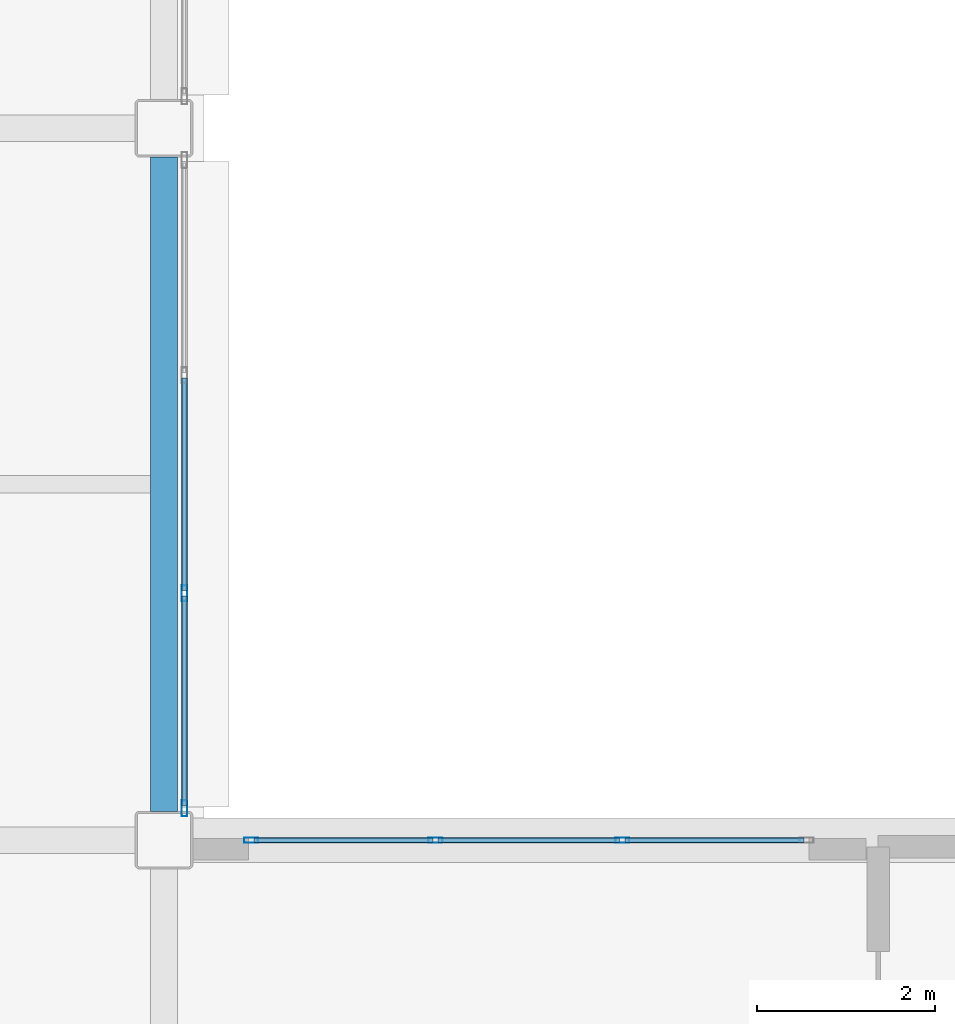
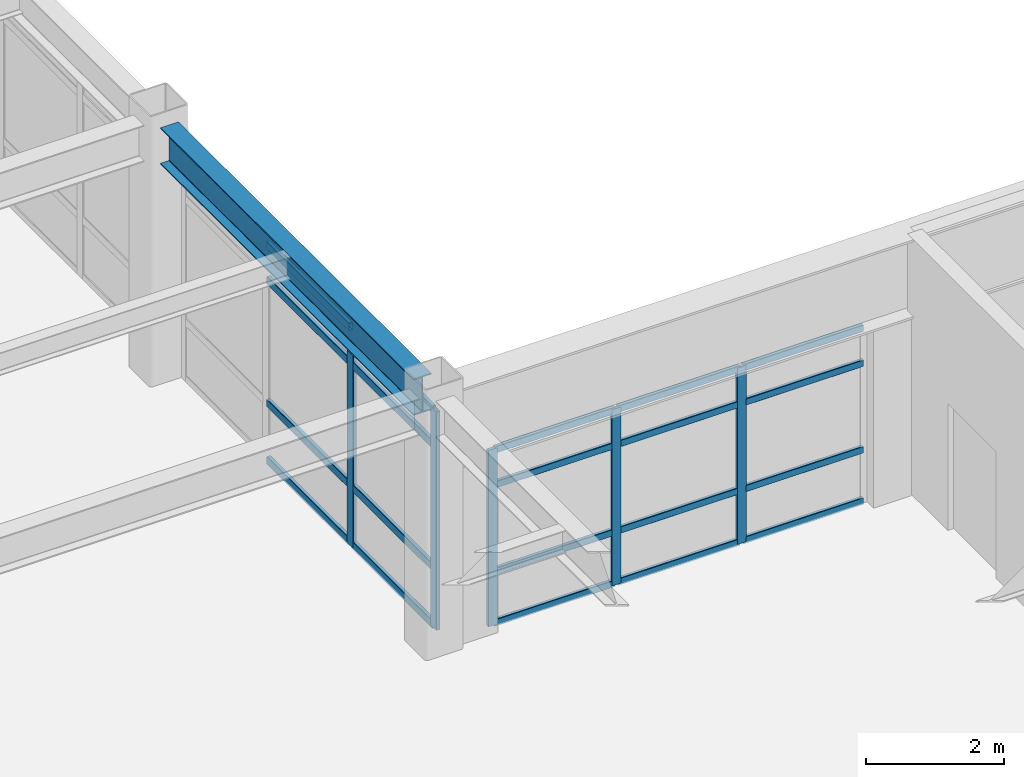
# One storey, part 51 of 172: 25 members, 1 beam, 2 elements without a shape of their own.
"""IFC4 building model written with IfcOpenShell, lengths in metres."""

from ifc_helpers import new_model, si_unit, direction, frame, origin, origin_2d, place, context, subcontext, project, spatial, hollow_rectangle, i_section, extrude, material, layer, layer_set, material_profile, profile_set, type_object, element, aggregate, save


model = new_model("IFC4")

# Units and contexts
model_context = context("Model", 3, precision=1e-05, world=origin(), true_north=direction((0.0, 1.0)))
body_context = subcontext(model_context, "Body", "Model", "MODEL_VIEW")
ifc_project = project(units=[si_unit("LENGTHUNIT", "METRE"), si_unit("AREAUNIT", "SQUARE_METRE"), si_unit("VOLUMEUNIT", "CUBIC_METRE"), si_unit("PLANEANGLEUNIT", "RADIAN"), si_unit("MASSUNIT", "GRAM", prefix="KILO")], contexts=[model_context])

# Site, building, storey
site_placement = place(None, origin())
site = spatial("IfcSite", under=ifc_project, at=site_placement, CompositionType="ELEMENT")
building_placement = place(site_placement, origin())
building = spatial("IfcBuilding", under=site, at=building_placement, Name="Kazehara Bluff Congress Hotel", CompositionType="ELEMENT")
storey_placement = place(building_placement, frame((0.0, 0.0, 5.39990234375)))
storey = spatial("IfcBuildingStorey", under=building, at=storey_placement, Name="L01", CompositionType="ELEMENT", Elevation=5.39990234375)

# Curtain wall, members
ifc_material_1 = material(Name="Anodised aluminium", Category="aluminium")
ifc_layer_1 = layer(ifc_material_1, 0.159912109375)
ifc_layer_set_1 = layer_set([ifc_layer_1], Name="Anodised aluminium")
curtain_wall_type_1 = type_object("IfcCurtainWallType", Name="TP-CW-70", PredefinedType="NOTDEFINED", material=ifc_layer_set_1)
curtain_wall_1_placement = place(storey_placement, origin())
curtain_wall_1 = element("IfcCurtainWall", 1, at=curtain_wall_1_placement, inside=storey, type_object=curtain_wall_type_1, Name="L01 curtain wall CW-70 CW-V4-L01-Y5645-6860", PredefinedType="NOTDEFINED")
ifc_material_2 = material(Name="Anodised aluminium", Category="aluminium")
ifc_material_profile_1 = material_profile(ifc_material_2, hollow_rectangle(XDim=0.06005859375, YDim=0.159912109375, WallThickness=0.00390625, InnerFilletRadius=0.00390625, OuterFilletRadius=0.008056640625, at=origin_2d()))
ifc_profile_set_1 = profile_set([ifc_material_profile_1], Name="Anodised aluminium")
member_type_1 = type_object("IfcMemberType", Name="TP-CWM-01", PredefinedType="MULLION", material=ifc_profile_set_1)
member_1_placement = place(storey_placement, frame((68.6298828125, 56.449951171875, 0.0), z_axis=(0.0, 0.0, 1.0), x_axis=(0.0, 1.0, 0.0)))
member_1 = element("IfcMember", 2, at=member_1_placement, type_object=member_type_1, Name="CW-70 mullion 1", PredefinedType="MULLION", context=body_context, shape_type="SweptSolid", body=[
    extrude(hollow_rectangle(XDim=0.06005859375, YDim=0.159912109375, WallThickness=0.00390625, InnerFilletRadius=0.00390625, OuterFilletRadius=0.008056640625, at=origin_2d()), origin(), (0.0, 0.0, 1.0), 3.125),
])
member_2_placement = place(storey_placement, frame((70.699951171875, 56.449951171875, 0.0), z_axis=(0.0, 0.0, 1.0), x_axis=(0.0, 1.0, 0.0)))
member_2 = element("IfcMember", 3, at=member_2_placement, type_object=member_type_1, Name="CW-70 mullion 2", PredefinedType="MULLION", context=body_context, shape_type="SweptSolid", body=[
    extrude(hollow_rectangle(XDim=0.06005859375, YDim=0.159912109375, WallThickness=0.00390625, InnerFilletRadius=0.00390625, OuterFilletRadius=0.008056640625, at=origin_2d()), origin(), (0.0, 0.0, 1.0), 3.125),
])
member_3_placement = place(storey_placement, frame((72.800048828125, 56.449951171875, 0.0), z_axis=(0.0, 0.0, 1.0), x_axis=(0.0, 1.0, 0.0)))
member_3 = element("IfcMember", 4, at=member_3_placement, type_object=member_type_1, Name="CW-70 mullion 3", PredefinedType="MULLION", context=body_context, shape_type="SweptSolid", body=[
    extrude(hollow_rectangle(XDim=0.06005859375, YDim=0.159912109375, WallThickness=0.00390625, InnerFilletRadius=0.00390625, OuterFilletRadius=0.008056640625, at=origin_2d()), origin(), (0.0, 0.0, 1.0), 3.125),
])

ifc_material_3 = material(Name="Anodised aluminium", Category="aluminium")
ifc_layer_2 = layer(ifc_material_3, 0.159912109375)
ifc_layer_set_2 = layer_set([ifc_layer_2], Name="Anodised aluminium")
curtain_wall_type_2 = type_object("IfcCurtainWallType", Name="TP-CW-56", PredefinedType="NOTDEFINED", material=ifc_layer_set_2)
curtain_wall_2_placement = place(storey_placement, origin())
curtain_wall_2 = element("IfcCurtainWall", 5, at=curtain_wall_2_placement, inside=storey, type_object=curtain_wall_type_2, Name="L01 curtain wall CW-56 CW-ENC-V4-L01-6788-6045", PredefinedType="NOTDEFINED")
ifc_material_4 = material(Name="Anodised aluminium", Category="aluminium")
ifc_material_profile_2 = material_profile(ifc_material_4, hollow_rectangle(XDim=0.06494140625, YDim=0.179931640625, WallThickness=0.00390625, InnerFilletRadius=0.00390625, OuterFilletRadius=0.008056640625, at=origin_2d()))
ifc_profile_set_2 = profile_set([ifc_material_profile_2], Name="Anodised aluminium")
member_type_2 = type_object("IfcMemberType", Name="TP-CWM-02", PredefinedType="MULLION", material=ifc_profile_set_2)
member_4_placement = place(storey_placement, frame((67.8798828125, 59.22509765625, 0.0), z_axis=(0.0, 0.0, 1.0), x_axis=(1.0, 0.0, 0.0)))
member_4 = element("IfcMember", 6, at=member_4_placement, type_object=member_type_2, Name="CW-56 mullion 3", PredefinedType="MULLION", context=body_context, shape_type="SweptSolid", body=[
    extrude(hollow_rectangle(XDim=0.06494140625, YDim=0.179931640625, WallThickness=0.00390625, InnerFilletRadius=0.00390625, OuterFilletRadius=0.008056640625, at=origin_2d()), origin(), (0.0, 0.0, 1.0), 3.875),
])
member_5_placement = place(storey_placement, frame((67.8798828125, 56.8076171875, 0.0), z_axis=(0.0, 0.0, 1.0), x_axis=(1.0, 0.0, 0.0)))
member_5 = element("IfcMember", 7, at=member_5_placement, type_object=member_type_2, Name="CW-56 mullion 4", PredefinedType="MULLION", context=body_context, shape_type="SweptSolid", body=[
    extrude(hollow_rectangle(XDim=0.06494140625, YDim=0.179931640625, WallThickness=0.00390625, InnerFilletRadius=0.00390625, OuterFilletRadius=0.008056640625, at=origin_2d()), origin(), (0.0, 0.0, 1.0), 3.875),
])

# Member
ifc_material_5 = material(Name="Anodised aluminium", Category="aluminium")
ifc_material_profile_3 = material_profile(ifc_material_5, hollow_rectangle(XDim=0.06005859375, YDim=0.1201171875, WallThickness=0.00390625, InnerFilletRadius=0.00390625, OuterFilletRadius=0.008056640625, at=origin_2d()))
ifc_profile_set_3 = profile_set([ifc_material_profile_3], Name="Anodised aluminium")
member_type_3 = type_object("IfcMemberType", Name="TP-CWT-01", PredefinedType="USERDEFINED", material=ifc_profile_set_3)
member_6_placement = place(storey_placement, frame((68.659912109375, 56.449951171875, 0.030029296875), z_axis=(1.0, 0.0, 0.0), x_axis=(0.0, 1.0, 0.0)))
member_6 = element("IfcMember", 8, at=member_6_placement, type_object=member_type_3, Name="CW-70 transom 1.1", ObjectType="TRANSOM", PredefinedType="USERDEFINED", context=body_context, shape_type="SweptSolid", body=[
    extrude(hollow_rectangle(XDim=0.06005859375, YDim=0.1201171875, WallThickness=0.00390625, InnerFilletRadius=0.00390625, OuterFilletRadius=0.008056640625, at=origin_2d()), origin(), (0.0, 0.0, 1.0), 2.010009765625),
])

member_7_placement = place(storey_placement, frame((68.659912109375, 56.449951171875, 0.940185546875), z_axis=(1.0, 0.0, 0.0), x_axis=(0.0, 1.0, 0.0)))
member_7 = element("IfcMember", 9, at=member_7_placement, type_object=member_type_3, Name="CW-70 transom 1.2", ObjectType="TRANSOM", PredefinedType="USERDEFINED", context=body_context, shape_type="SweptSolid", body=[
    extrude(hollow_rectangle(XDim=0.06005859375, YDim=0.1201171875, WallThickness=0.00390625, InnerFilletRadius=0.00390625, OuterFilletRadius=0.008056640625, at=origin_2d()), origin(), (0.0, 0.0, 1.0), 2.010009765625),
])

member_8_placement = place(storey_placement, frame((68.659912109375, 56.449951171875, 2.47509765625), z_axis=(1.0, 0.0, 0.0), x_axis=(0.0, 1.0, 0.0)))
member_8 = element("IfcMember", 10, at=member_8_placement, type_object=member_type_3, Name="CW-70 transom 1.3", ObjectType="TRANSOM", PredefinedType="USERDEFINED", context=body_context, shape_type="SweptSolid", body=[
    extrude(hollow_rectangle(XDim=0.06005859375, YDim=0.1201171875, WallThickness=0.00390625, InnerFilletRadius=0.00390625, OuterFilletRadius=0.008056640625, at=origin_2d()), origin(), (0.0, 0.0, 1.0), 2.010009765625),
])

member_9_placement = place(storey_placement, frame((68.659912109375, 56.449951171875, 3.09521484375), z_axis=(1.0, 0.0, 0.0), x_axis=(0.0, 1.0, 0.0)))
member_9 = element("IfcMember", 11, at=member_9_placement, type_object=member_type_3, Name="CW-70 transom 1.4", ObjectType="TRANSOM", PredefinedType="USERDEFINED", context=body_context, shape_type="SweptSolid", body=[
    extrude(hollow_rectangle(XDim=0.06005859375, YDim=0.1201171875, WallThickness=0.00390625, InnerFilletRadius=0.00390625, OuterFilletRadius=0.008056640625, at=origin_2d()), origin(), (0.0, 0.0, 1.0), 2.010009765625),
])

member_10_placement = place(storey_placement, frame((70.72998046875, 56.449951171875, 0.030029296875), z_axis=(1.0, 0.0, 0.0), x_axis=(0.0, 1.0, 0.0)))
member_10 = element("IfcMember", 12, at=member_10_placement, type_object=member_type_3, Name="CW-70 transom 2.1", ObjectType="TRANSOM", PredefinedType="USERDEFINED", context=body_context, shape_type="SweptSolid", body=[
    extrude(hollow_rectangle(XDim=0.06005859375, YDim=0.1201171875, WallThickness=0.00390625, InnerFilletRadius=0.00390625, OuterFilletRadius=0.008056640625, at=origin_2d()), origin(), (0.0, 0.0, 1.0), 2.0400390625),
])

member_11_placement = place(storey_placement, frame((70.72998046875, 56.449951171875, 0.940185546875), z_axis=(1.0, 0.0, 0.0), x_axis=(0.0, 1.0, 0.0)))
member_11 = element("IfcMember", 13, at=member_11_placement, type_object=member_type_3, Name="CW-70 transom 2.2", ObjectType="TRANSOM", PredefinedType="USERDEFINED", context=body_context, shape_type="SweptSolid", body=[
    extrude(hollow_rectangle(XDim=0.06005859375, YDim=0.1201171875, WallThickness=0.00390625, InnerFilletRadius=0.00390625, OuterFilletRadius=0.008056640625, at=origin_2d()), origin(), (0.0, 0.0, 1.0), 2.0400390625),
])

member_12_placement = place(storey_placement, frame((70.72998046875, 56.449951171875, 2.47509765625), z_axis=(1.0, 0.0, 0.0), x_axis=(0.0, 1.0, 0.0)))
member_12 = element("IfcMember", 14, at=member_12_placement, type_object=member_type_3, Name="CW-70 transom 2.3", ObjectType="TRANSOM", PredefinedType="USERDEFINED", context=body_context, shape_type="SweptSolid", body=[
    extrude(hollow_rectangle(XDim=0.06005859375, YDim=0.1201171875, WallThickness=0.00390625, InnerFilletRadius=0.00390625, OuterFilletRadius=0.008056640625, at=origin_2d()), origin(), (0.0, 0.0, 1.0), 2.0400390625),
])

member_13_placement = place(storey_placement, frame((70.72998046875, 56.449951171875, 3.09521484375), z_axis=(1.0, 0.0, 0.0), x_axis=(0.0, 1.0, 0.0)))
member_13 = element("IfcMember", 15, at=member_13_placement, type_object=member_type_3, Name="CW-70 transom 2.4", ObjectType="TRANSOM", PredefinedType="USERDEFINED", context=body_context, shape_type="SweptSolid", body=[
    extrude(hollow_rectangle(XDim=0.06005859375, YDim=0.1201171875, WallThickness=0.00390625, InnerFilletRadius=0.00390625, OuterFilletRadius=0.008056640625, at=origin_2d()), origin(), (0.0, 0.0, 1.0), 2.0400390625),
])

member_14_placement = place(storey_placement, frame((72.830078125, 56.449951171875, 0.030029296875), z_axis=(1.0, 0.0, 0.0), x_axis=(0.0, 1.0, 0.0)))
member_14 = element("IfcMember", 16, at=member_14_placement, type_object=member_type_3, Name="CW-70 transom 3.1", ObjectType="TRANSOM", PredefinedType="USERDEFINED", context=body_context, shape_type="SweptSolid", body=[
    extrude(hollow_rectangle(XDim=0.06005859375, YDim=0.1201171875, WallThickness=0.00390625, InnerFilletRadius=0.00390625, OuterFilletRadius=0.008056640625, at=origin_2d()), origin(), (0.0, 0.0, 1.0), 2.010009765625),
])

member_15_placement = place(storey_placement, frame((72.830078125, 56.449951171875, 0.940185546875), z_axis=(1.0, 0.0, 0.0), x_axis=(0.0, 1.0, 0.0)))
member_15 = element("IfcMember", 17, at=member_15_placement, type_object=member_type_3, Name="CW-70 transom 3.2", ObjectType="TRANSOM", PredefinedType="USERDEFINED", context=body_context, shape_type="SweptSolid", body=[
    extrude(hollow_rectangle(XDim=0.06005859375, YDim=0.1201171875, WallThickness=0.00390625, InnerFilletRadius=0.00390625, OuterFilletRadius=0.008056640625, at=origin_2d()), origin(), (0.0, 0.0, 1.0), 2.010009765625),
])

member_16_placement = place(storey_placement, frame((72.830078125, 56.449951171875, 2.47509765625), z_axis=(1.0, 0.0, 0.0), x_axis=(0.0, 1.0, 0.0)))
member_16 = element("IfcMember", 18, at=member_16_placement, type_object=member_type_3, Name="CW-70 transom 3.3", ObjectType="TRANSOM", PredefinedType="USERDEFINED", context=body_context, shape_type="SweptSolid", body=[
    extrude(hollow_rectangle(XDim=0.06005859375, YDim=0.1201171875, WallThickness=0.00390625, InnerFilletRadius=0.00390625, OuterFilletRadius=0.008056640625, at=origin_2d()), origin(), (0.0, 0.0, 1.0), 2.010009765625),
])

member_17_placement = place(storey_placement, frame((72.830078125, 56.449951171875, 3.09521484375), z_axis=(1.0, 0.0, 0.0), x_axis=(0.0, 1.0, 0.0)))
member_17 = element("IfcMember", 19, at=member_17_placement, type_object=member_type_3, Name="CW-70 transom 3.4", ObjectType="TRANSOM", PredefinedType="USERDEFINED", context=body_context, shape_type="SweptSolid", body=[
    extrude(hollow_rectangle(XDim=0.06005859375, YDim=0.1201171875, WallThickness=0.00390625, InnerFilletRadius=0.00390625, OuterFilletRadius=0.008056640625, at=origin_2d()), origin(), (0.0, 0.0, 1.0), 2.010009765625),
])

aggregate(curtain_wall_1, [member_1, member_2, member_3, member_6, member_7, member_8, member_9, member_10, member_11, member_12, member_13, member_14, member_15, member_16, member_17])

ifc_material_6 = material(Name="Anodised aluminium", Category="aluminium")
ifc_material_profile_4 = material_profile(ifc_material_6, hollow_rectangle(XDim=0.06494140625, YDim=0.139892578125, WallThickness=0.00390625, InnerFilletRadius=0.00390625, OuterFilletRadius=0.008056640625, at=origin_2d()))
ifc_profile_set_4 = profile_set([ifc_material_profile_4], Name="Anodised aluminium")
member_type_4 = type_object("IfcMemberType", Name="TP-CWT-02", PredefinedType="USERDEFINED", material=ifc_profile_set_4)
member_18_placement = place(storey_placement, frame((67.8798828125, 61.642578125, 0.03271484375), z_axis=(0.0, -1.0, 0.0), x_axis=(1.0, 0.0, 0.0)))
member_18 = element("IfcMember", 20, at=member_18_placement, type_object=member_type_4, Name="CW-56 transom 2.1", ObjectType="TRANSOM", PredefinedType="USERDEFINED", context=body_context, shape_type="SweptSolid", body=[
    extrude(hollow_rectangle(XDim=0.06494140625, YDim=0.139892578125, WallThickness=0.00390625, InnerFilletRadius=0.00390625, OuterFilletRadius=0.008056640625, at=origin_2d()), origin(), (0.0, 0.0, 1.0), 2.385009765625),
])

member_19_placement = place(storey_placement, frame((67.8798828125, 61.642578125, 1.050048828125), z_axis=(0.0, -1.0, 0.0), x_axis=(1.0, 0.0, 0.0)))
member_19 = element("IfcMember", 21, at=member_19_placement, type_object=member_type_4, Name="CW-56 transom 2.2", ObjectType="TRANSOM", PredefinedType="USERDEFINED", context=body_context, shape_type="SweptSolid", body=[
    extrude(hollow_rectangle(XDim=0.06494140625, YDim=0.139892578125, WallThickness=0.00390625, InnerFilletRadius=0.00390625, OuterFilletRadius=0.008056640625, at=origin_2d()), origin(), (0.0, 0.0, 1.0), 2.385009765625),
])

member_20_placement = place(storey_placement, frame((67.8798828125, 61.642578125, 3.22509765625), z_axis=(0.0, -1.0, 0.0), x_axis=(1.0, 0.0, 0.0)))
member_20 = element("IfcMember", 22, at=member_20_placement, type_object=member_type_4, Name="CW-56 transom 2.3", ObjectType="TRANSOM", PredefinedType="USERDEFINED", context=body_context, shape_type="SweptSolid", body=[
    extrude(hollow_rectangle(XDim=0.06494140625, YDim=0.139892578125, WallThickness=0.00390625, InnerFilletRadius=0.00390625, OuterFilletRadius=0.008056640625, at=origin_2d()), origin(), (0.0, 0.0, 1.0), 2.385009765625),
])

member_21_placement = place(storey_placement, frame((67.8798828125, 61.642578125, 3.842529296875), z_axis=(0.0, -1.0, 0.0), x_axis=(1.0, 0.0, 0.0)))
member_21 = element("IfcMember", 23, at=member_21_placement, type_object=member_type_4, Name="CW-56 transom 2.4", ObjectType="TRANSOM", PredefinedType="USERDEFINED", context=body_context, shape_type="SweptSolid", body=[
    extrude(hollow_rectangle(XDim=0.06494140625, YDim=0.139892578125, WallThickness=0.00390625, InnerFilletRadius=0.00390625, OuterFilletRadius=0.008056640625, at=origin_2d()), origin(), (0.0, 0.0, 1.0), 2.385009765625),
])

member_22_placement = place(storey_placement, frame((67.8798828125, 59.1923828125, 0.03271484375), z_axis=(0.0, -1.0, 0.0), x_axis=(1.0, 0.0, 0.0)))
member_22 = element("IfcMember", 24, at=member_22_placement, type_object=member_type_4, Name="CW-56 transom 3.1", ObjectType="TRANSOM", PredefinedType="USERDEFINED", context=body_context, shape_type="SweptSolid", body=[
    extrude(hollow_rectangle(XDim=0.06494140625, YDim=0.139892578125, WallThickness=0.00390625, InnerFilletRadius=0.00390625, OuterFilletRadius=0.008056640625, at=origin_2d()), origin(), (0.0, 0.0, 1.0), 2.352294921875),
])

member_23_placement = place(storey_placement, frame((67.8798828125, 59.1923828125, 1.050048828125), z_axis=(0.0, -1.0, 0.0), x_axis=(1.0, 0.0, 0.0)))
member_23 = element("IfcMember", 25, at=member_23_placement, type_object=member_type_4, Name="CW-56 transom 3.2", ObjectType="TRANSOM", PredefinedType="USERDEFINED", context=body_context, shape_type="SweptSolid", body=[
    extrude(hollow_rectangle(XDim=0.06494140625, YDim=0.139892578125, WallThickness=0.00390625, InnerFilletRadius=0.00390625, OuterFilletRadius=0.008056640625, at=origin_2d()), origin(), (0.0, 0.0, 1.0), 2.352294921875),
])

member_24_placement = place(storey_placement, frame((67.8798828125, 59.1923828125, 3.22509765625), z_axis=(0.0, -1.0, 0.0), x_axis=(1.0, 0.0, 0.0)))
member_24 = element("IfcMember", 26, at=member_24_placement, type_object=member_type_4, Name="CW-56 transom 3.3", ObjectType="TRANSOM", PredefinedType="USERDEFINED", context=body_context, shape_type="SweptSolid", body=[
    extrude(hollow_rectangle(XDim=0.06494140625, YDim=0.139892578125, WallThickness=0.00390625, InnerFilletRadius=0.00390625, OuterFilletRadius=0.008056640625, at=origin_2d()), origin(), (0.0, 0.0, 1.0), 2.352294921875),
])

member_25_placement = place(storey_placement, frame((67.8798828125, 59.1923828125, 3.842529296875), z_axis=(0.0, -1.0, 0.0), x_axis=(1.0, 0.0, 0.0)))
member_25 = element("IfcMember", 27, at=member_25_placement, type_object=member_type_4, Name="CW-56 transom 3.4", ObjectType="TRANSOM", PredefinedType="USERDEFINED", context=body_context, shape_type="SweptSolid", body=[
    extrude(hollow_rectangle(XDim=0.06494140625, YDim=0.139892578125, WallThickness=0.00390625, InnerFilletRadius=0.00390625, OuterFilletRadius=0.008056640625, at=origin_2d()), origin(), (0.0, 0.0, 1.0), 2.352294921875),
])

aggregate(curtain_wall_2, [member_4, member_5, member_18, member_19, member_20, member_21, member_22, member_23, member_24, member_25])

# Beam
ifc_material_7 = material(Name="Steel SN490B", Category="steel")
ifc_material_profile_5 = material_profile(ifc_material_7, i_section(OverallWidth=0.300048828125, OverallDepth=0.64990234375, WebThickness=0.011962890625, FlangeThickness=0.02001953125, FilletRadius=0.012939453125, at=origin_2d()))
ifc_profile_set_5 = profile_set([ifc_material_profile_5], Name="Steel SN490B")
beam_type = type_object("IfcBeamType", Name="TP-G-03", PredefinedType="BEAM", material=ifc_profile_set_5)
beam_placement = place(storey_placement, frame((67.64990234375, 56.77490234375, 4.22509765625), z_axis=(0.0, 1.0, 0.0), x_axis=(-1.0, 0.0, 0.0)))
element("IfcBeam", 28, at=beam_placement, inside=storey, type_object=beam_type, Name="L01 girder G-03 160", PredefinedType="BEAM", context=body_context, shape_type="SweptSolid", body=[
    extrude(i_section(OverallWidth=0.300048828125, OverallDepth=0.64990234375, WebThickness=0.011962890625, FlangeThickness=0.02001953125, FilletRadius=0.012939453125, at=origin_2d()), origin(), (0.0, 0.0, 1.0), 7.35009765625),
])

save(model, "model.ifc")
